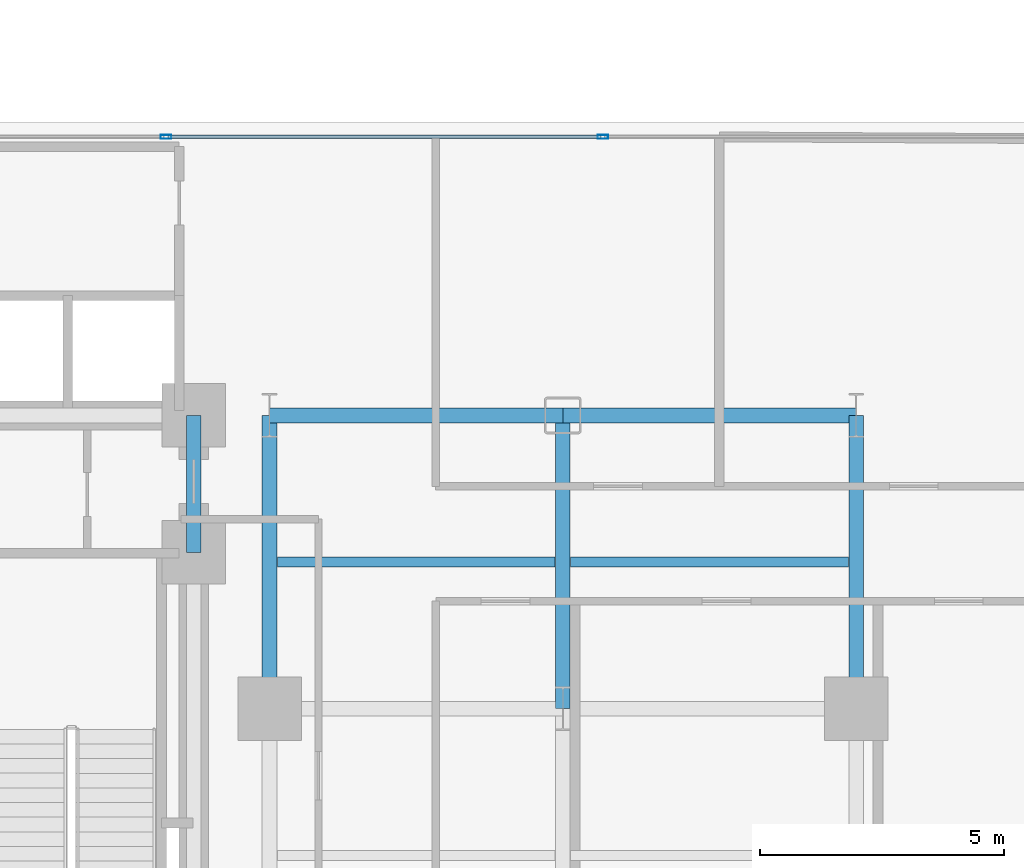
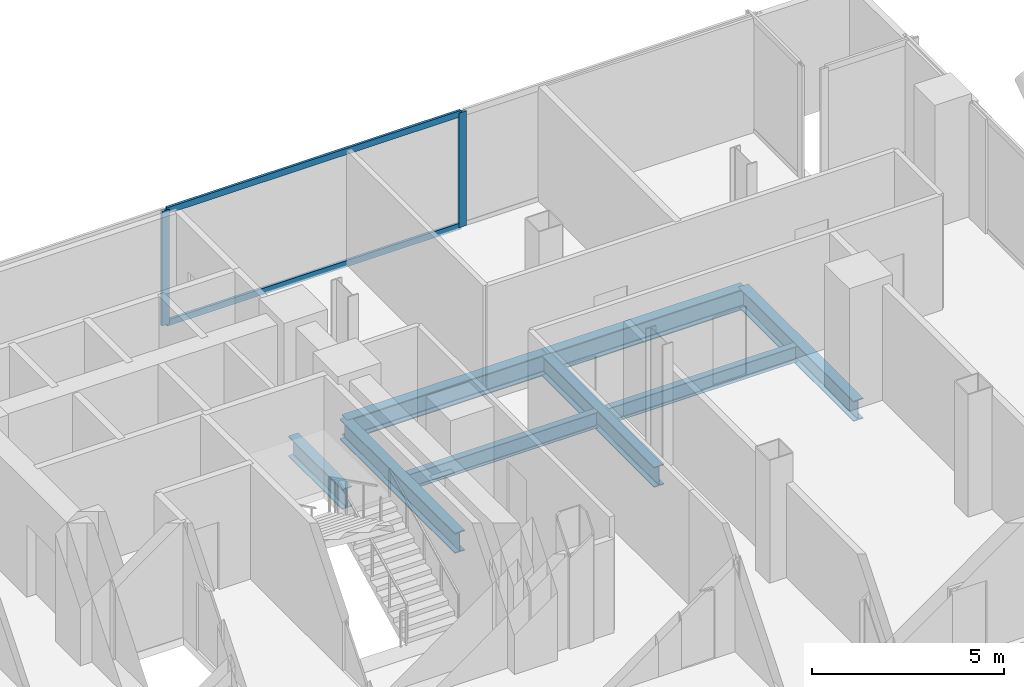
# One storey, part 11 of 27: 8 beams, 4 members, 1 element without a shape of its own.
"""IFC4 building model written with IfcOpenShell, lengths in metres."""

from ifc_helpers import new_model, si_unit, direction, frame, origin, origin_2d, place, context, subcontext, project, spatial, hollow_rectangle, i_section, extrude, material, layer, layer_set, material_profile, profile_set, type_object, element, aggregate, save


model = new_model("IFC4")

# Units and contexts
model_context = context("Model", 3, precision=1e-05, world=origin(), true_north=direction((0.0, 1.0)))
body_context = subcontext(model_context, "Body", "Model", "MODEL_VIEW")
ifc_project = project(units=[si_unit("LENGTHUNIT", "METRE"), si_unit("AREAUNIT", "SQUARE_METRE"), si_unit("VOLUMEUNIT", "CUBIC_METRE"), si_unit("PLANEANGLEUNIT", "RADIAN"), si_unit("MASSUNIT", "GRAM", prefix="KILO"), si_unit("THERMODYNAMICTEMPERATUREUNIT", "KELVIN"), si_unit("POWERUNIT", "WATT")], contexts=[model_context])

# Site, building, storey
site_placement = place(None, origin())
site = spatial("IfcSite", under=ifc_project, at=site_placement, CompositionType="ELEMENT")
building_placement = place(site_placement, origin())
building = spatial("IfcBuilding", under=site, at=building_placement, Name="Svarakhadi Broadcast Tower", CompositionType="ELEMENT")
storey_placement = place(building_placement, frame((0.0, 0.0, 75.300048828125)))
storey = spatial("IfcBuildingStorey", under=building, at=storey_placement, Name="L17", CompositionType="ELEMENT", Elevation=75.300048828125)

# Beams
ifc_material_1 = material(Name="Steel S355J2 (IS 2062 E350C)", Category="steel")
ifc_material_profile_1 = material_profile(ifc_material_1, i_section(OverallWidth=0.199951171875, OverallDepth=0.5, WebThickness=0.01025390625, FlangeThickness=0.01611328125, FilletRadius=0.02099609375, at=origin_2d()), Name="NPB 500x200x91")
ifc_profile_set_1 = profile_set([ifc_material_profile_1], Name="Steel S355J2 (IS 2062 E350C)")
beam_type_1 = type_object("IfcBeamType", Name="Beam_NPB500", PredefinedType="BEAM", material=ifc_profile_set_1)
for number, where, z_axis, x_axis, name in (
    (1, (35.31005859375, 15.0, -0.5), (1.0, 0.0, 0.0), (0.0, 1.0, 0.0), "L17 Secondary Composite Beam SB024"),
    (2, (41.31005859375, 15.0, -0.5), (1.0, 0.0, 0.0), (0.0, 1.0, 0.0), "L17 Secondary Composite Beam SB027"),
):
    element("IfcBeam", number, at=place(storey_placement, frame(where, z_axis=z_axis, x_axis=x_axis)), inside=storey, type_object=beam_type_1, Name=name, PredefinedType="BEAM", context=body_context, shape_type="SweptSolid", body=[
        extrude(i_section(OverallWidth=0.199951171875, OverallDepth=0.5, WebThickness=0.01025390625, FlangeThickness=0.01611328125, FilletRadius=0.02099609375, at=origin_2d()), origin(), (0.0, 0.0, 1.0), 5.679931640625),
    ])

# Curtain wall, members
ifc_material_2 = material(Name="Anodised Bronze Aluminium AA 6063-T6", Category="aluminium")
ifc_layer = layer(ifc_material_2, 0.219970703125)
ifc_layer_set = layer_set([ifc_layer], Name="Anodised Bronze Aluminium AA 6063-T6")
curtain_wall_type = type_object("IfcCurtainWallType", Name="CW_Sys_02", PredefinedType="NOTDEFINED", material=ifc_layer_set)
curtain_wall_placement = place(storey_placement, origin())
curtain_wall = element("IfcCurtainWall", 3, at=curtain_wall_placement, inside=storey, type_object=curtain_wall_type, Name="L17 Unitised Facade Curtain Wall 10", PredefinedType="NOTDEFINED")
ifc_material_profile_2 = material_profile(ifc_material_2, hollow_rectangle(XDim=0.0849609375, YDim=0.219970703125, WallThickness=0.006103515625, at=origin_2d()), Name="ALU MULLION 220x85x6")
ifc_profile_set_2 = profile_set([ifc_material_profile_2], Name="Anodised Bronze Aluminium AA 6063-T6")
member_type_1 = type_object("IfcMemberType", Name="CW_Sys_02_Mul", PredefinedType="MULLION", material=ifc_profile_set_2)
member_1_placement = place(storey_placement, frame((33.030029296875, 23.699951171875, 0.0), z_axis=(0.0, 0.0, 1.0), x_axis=(0.0, 1.0, 0.0)))
member_1 = element("IfcMember", 4, at=member_1_placement, type_object=member_type_1, Name="CW-02 mullion 2", PredefinedType="MULLION", context=body_context, shape_type="SweptSolid", body=[
    extrude(hollow_rectangle(XDim=0.0849609375, YDim=0.219970703125, WallThickness=0.006103515625, at=origin_2d()), origin(), (0.0, 0.0, 1.0), 3.64990234375),
])
member_2_placement = place(storey_placement, frame((41.969970703125, 23.699951171875, 0.0), z_axis=(0.0, 0.0, 1.0), x_axis=(0.0, 1.0, 0.0)))
member_2 = element("IfcMember", 5, at=member_2_placement, type_object=member_type_1, Name="CW-02 mullion 3", PredefinedType="MULLION", context=body_context, shape_type="SweptSolid", body=[
    extrude(hollow_rectangle(XDim=0.0849609375, YDim=0.219970703125, WallThickness=0.006103515625, at=origin_2d()), origin(), (0.0, 0.0, 1.0), 3.64990234375),
])
ifc_material_profile_3 = material_profile(ifc_material_2, hollow_rectangle(XDim=0.074951171875, YDim=0.199951171875, WallThickness=0.0048828125, at=origin_2d()), Name="ALU TRANSOM 200x75x5")
ifc_profile_set_3 = profile_set([ifc_material_profile_3], Name="Anodised Bronze Aluminium AA 6063-T6")
member_type_2 = type_object("IfcMemberType", Name="CW_Sys_02_Trn", PredefinedType="USERDEFINED", material=ifc_profile_set_3)
member_3_placement = place(storey_placement, frame((33.072509765625, 23.699951171875, 0.037353515625), z_axis=(1.0, 0.0, 0.0), x_axis=(0.0, 1.0, 0.0)))
member_3 = element("IfcMember", 6, at=member_3_placement, type_object=member_type_2, Name="CW-02 transom 2.1", ObjectType="TRANSOM", PredefinedType="USERDEFINED", context=body_context, shape_type="SweptSolid", body=[
    extrude(hollow_rectangle(XDim=0.074951171875, YDim=0.199951171875, WallThickness=0.0048828125, at=origin_2d()), origin(), (0.0, 0.0, 1.0), 8.85498046875),
])
member_4_placement = place(storey_placement, frame((33.072509765625, 23.699951171875, 3.612548828125), z_axis=(1.0, 0.0, 0.0), x_axis=(0.0, 1.0, 0.0)))
member_4 = element("IfcMember", 7, at=member_4_placement, type_object=member_type_2, Name="CW-02 transom 2.2", ObjectType="TRANSOM", PredefinedType="USERDEFINED", context=body_context, shape_type="SweptSolid", body=[
    extrude(hollow_rectangle(XDim=0.074951171875, YDim=0.199951171875, WallThickness=0.0048828125, at=origin_2d()), origin(), (0.0, 0.0, 1.0), 8.85498046875),
])
aggregate(curtain_wall, [member_1, member_2, member_3, member_4])

# Beams
ifc_material_profile_4 = material_profile(ifc_material_1, i_section(OverallWidth=0.300048828125, OverallDepth=0.64990234375, WebThickness=0.01611328125, FlangeThickness=0.031005859375, FilletRadius=0.027099609375, at=origin_2d()), Name="WPB 650x300x225")
ifc_profile_set_4 = profile_set([ifc_material_profile_4], Name="Steel S355J2 (IS 2062 E350C)")
beam_type_2 = type_object("IfcBeamType", Name="Girder_WPB650", PredefinedType="USERDEFINED", material=ifc_profile_set_4)
for number, where, z_axis, x_axis, name in (
    (8, (35.14990234375, 18.0, -0.574951171875), (1.0, 0.0, 0.0), (0.0, 1.0, 0.0), "L17 Primary E-W Girder G030"),
    (9, (41.14990234375, 18.0, -0.574951171875), (1.0, 0.0, 0.0), (0.0, 1.0, 0.0), "L17 Primary E-W Girder G031"),
):
    element("IfcBeam", number, at=place(storey_placement, frame(where, z_axis=z_axis, x_axis=x_axis)), inside=storey, type_object=beam_type_2, Name=name, ObjectType="GIRDER", PredefinedType="USERDEFINED", context=body_context, shape_type="SweptSolid", body=[
        extrude(i_section(OverallWidth=0.300048828125, OverallDepth=0.64990234375, WebThickness=0.01611328125, FlangeThickness=0.031005859375, FilletRadius=0.027099609375, at=origin_2d()), origin(), (0.0, 0.0, 1.0), 6.0),
    ])
beam_placement = place(storey_placement, frame((33.60009765625, 15.199951171875, -0.574951171875), z_axis=(0.0, 1.0, 0.0), x_axis=(-1.0, 0.0, 0.0)))
element("IfcBeam", 10, at=beam_placement, inside=storey, type_object=beam_type_2, Name="L17 Primary N-S Girder G075", ObjectType="GIRDER", PredefinedType="USERDEFINED", context=body_context, shape_type="SweptSolid", body=[
    extrude(i_section(OverallWidth=0.300048828125, OverallDepth=0.64990234375, WebThickness=0.01611328125, FlangeThickness=0.031005859375, FilletRadius=0.027099609375, at=origin_2d()), origin(), (0.0, 0.0, 1.0), 2.800048828125),
])
for number, where, z_axis, x_axis, name in (
    (11, (35.14990234375, 12.0, -0.574951171875), (0.0, 1.0, 0.0), (-1.0, 0.0, 0.0), "L17 Primary N-S Girder G078"),
    (12, (41.14990234375, 12.0, -0.574951171875), (0.0, 1.0, 0.0), (-1.0, 0.0, 0.0), "L17 Primary N-S Girder G081"),
    (13, (47.14990234375, 12.0, -0.574951171875), (0.0, 1.0, 0.0), (-1.0, 0.0, 0.0), "L17 Primary N-S Girder G084"),
):
    element("IfcBeam", number, at=place(storey_placement, frame(where, z_axis=z_axis, x_axis=x_axis)), inside=storey, type_object=beam_type_2, Name=name, ObjectType="GIRDER", PredefinedType="USERDEFINED", context=body_context, shape_type="SweptSolid", body=[
        extrude(i_section(OverallWidth=0.300048828125, OverallDepth=0.64990234375, WebThickness=0.01611328125, FlangeThickness=0.031005859375, FilletRadius=0.027099609375, at=origin_2d()), origin(), (0.0, 0.0, 1.0), 6.0),
    ])

save(model, "model.ifc")
